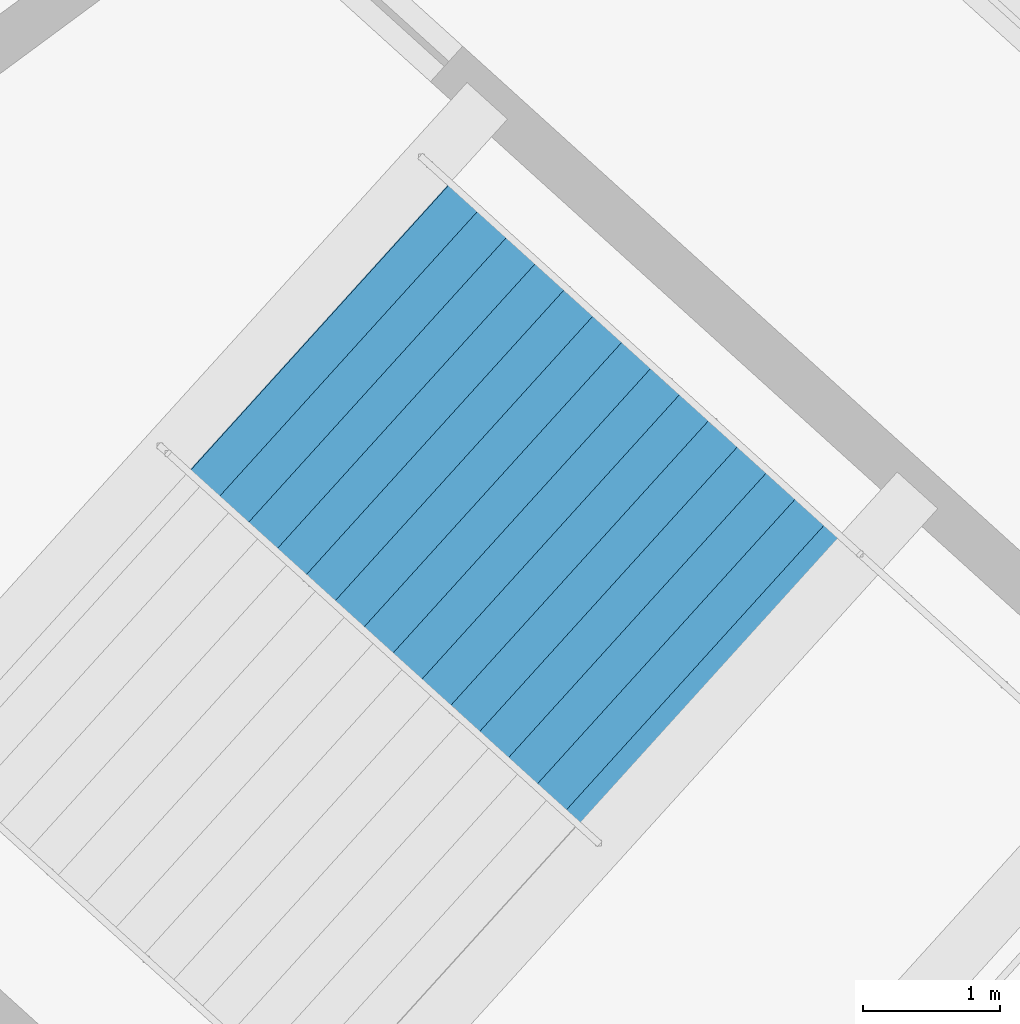
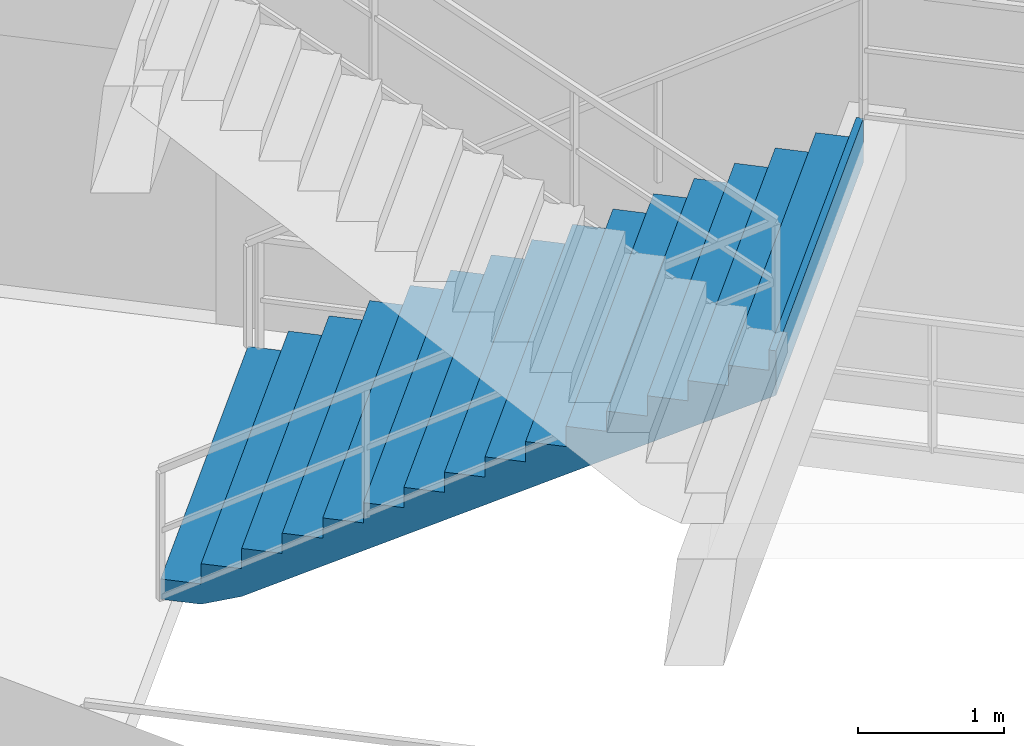
# One storey, part 80 of 103: 1 stair flight, 1 element without a shape of its own.
"""IFC4 building model written with IfcOpenShell, lengths in metres."""

from ifc_helpers import new_model, si_unit, direction, frame, origin, place, context, subcontext, project, spatial, polygons, material, type_object, element, aggregate, save


model = new_model("IFC4")

# Units and contexts
model_context = context("Model", 3, precision=1e-05, world=origin(), true_north=direction((0.0, 1.0)))
body_context = subcontext(model_context, "Body", "Model", "MODEL_VIEW")
ifc_project = project(units=[si_unit("LENGTHUNIT", "METRE"), si_unit("AREAUNIT", "SQUARE_METRE"), si_unit("VOLUMEUNIT", "CUBIC_METRE"), si_unit("PLANEANGLEUNIT", "RADIAN"), si_unit("MASSUNIT", "GRAM", prefix="KILO")], contexts=[model_context])

# Site, building, storey
site_placement = place(None, origin())
site = spatial("IfcSite", under=ifc_project, at=site_placement, CompositionType="ELEMENT")
building_placement = place(site_placement, origin())
building = spatial("IfcBuilding", under=site, at=building_placement, Name="Kazemori Nagisa Stadium", CompositionType="ELEMENT")
storey_placement = place(building_placement, frame((0.0, 0.0, 25.840087890625)))
storey = spatial("IfcBuildingStorey", under=building, at=storey_placement, Name="L05", CompositionType="ELEMENT", Elevation=25.840087890625)

# Stair, stair flight
ifc_material = material(Name="Concrete C36/45 (Fc36)", Category="concrete")
stair_type = type_object("IfcStairType", Name="Stair_CORE_32", PredefinedType="TWO_STRAIGHT_RUN_STAIR", material=ifc_material)
stair_placement = place(storey_placement, origin())
stair = element("IfcStair", 1, at=stair_placement, inside=storey, type_object=stair_type, Name="Exit stair ST03 L05", PredefinedType="TWO_STRAIGHT_RUN_STAIR")
stair_flight_type = type_object("IfcStairFlightType", Name="Flight_CORE_16", PredefinedType="STRAIGHT", material=ifc_material)
stair_flight_placement = place(storey_placement, frame((54.10791015625, 47.6630859375, 0.0), z_axis=(0.0, 0.0, 1.0), x_axis=(0.741354464355, -0.671113670089, 0.0)))
stair_flight = element("IfcStairFlight", 2, at=stair_flight_placement, type_object=stair_flight_type, Name="Exit stair ST03 L05 flight 1", NumberOfRisers=16, NumberOfTreads=15, PredefinedType="STRAIGHT", RiserHeight=0.17, TreadLength=0.285, context=body_context, shape_type="Tessellation", body=[
    polygons([(0.0, -1.425048828125, 0.0), (0.0, -1.425048828125, 0.169921875), (0.284912109375, -1.425048828125, 0.169921875), (0.284912109375, -1.425048828125, 0.340087890625), (0.570068359375, -1.425048828125, 0.340087890625), (0.570068359375, -1.425048828125, 0.510009765625), (0.85498046875, -1.425048828125, 0.510009765625), (0.85498046875, -1.425048828125, 0.679931640625), (1.139892578125, -1.425048828125, 0.679931640625), (1.139892578125, -1.425048828125, 0.85009765625), (1.425048828125, -1.425048828125, 0.85009765625), (1.425048828125, -1.425048828125, 1.02001953125), (1.7099609375, -1.425048828125, 1.02001953125), (1.7099609375, -1.425048828125, 1.18994140625), (1.9951171875, -1.425048828125, 1.18994140625), (1.9951171875, -1.425048828125, 1.360107421875), (2.280029296875, -1.425048828125, 1.360107421875), (2.280029296875, -1.425048828125, 1.530029296875), (2.56494140625, -1.425048828125, 1.530029296875), (2.56494140625, -1.425048828125, 1.699951171875), (2.85009765625, -1.425048828125, 1.699951171875), (2.85009765625, -1.425048828125, 1.8701171875), (3.135009765625, -1.425048828125, 1.8701171875), (3.135009765625, -1.425048828125, 2.0400390625), (3.419921875, -1.425048828125, 2.0400390625), (3.419921875, -1.425048828125, 2.2099609375), (3.705078125, -1.425048828125, 2.2099609375), (3.705078125, -1.425048828125, 2.3798828125), (3.989990234375, -1.425048828125, 2.3798828125), (3.989990234375, -1.425048828125, 2.550048828125), (4.27490234375, -1.425048828125, 2.550048828125), (4.27490234375, -1.425048828125, 2.719970703125), (4.324951171875, -1.425048828125, 2.719970703125), (4.324951171875, -1.425048828125, 2.346923828125), (4.27490234375, -1.425048828125, 2.317138671875), (3.989990234375, -1.425048828125, 2.147216796875), (3.705078125, -1.425048828125, 1.977294921875), (3.419921875, -1.425048828125, 1.80712890625), (3.135009765625, -1.425048828125, 1.63720703125), (2.85009765625, -1.425048828125, 1.46728515625), (2.56494140625, -1.425048828125, 1.297119140625), (2.280029296875, -1.425048828125, 1.127197265625), (1.9951171875, -1.425048828125, 0.957275390625), (1.7099609375, -1.425048828125, 0.787109375), (1.425048828125, -1.425048828125, 0.6171875), (1.139892578125, -1.425048828125, 0.447265625), (0.85498046875, -1.425048828125, 0.277099609375), (0.570068359375, -1.425048828125, 0.107177734375), (0.284912109375, -1.425048828125, 0.0), (0.0, -0.08544921875, 0.0), (0.0, -0.08544921875, 0.169921875), (0.284912109375, -0.08544921875, 0.169921875), (0.284912109375, -0.08544921875, 0.340087890625), (0.570068359375, -0.08544921875, 0.340087890625), (0.570068359375, -0.08544921875, 0.510009765625), (0.85498046875, -0.08544921875, 0.510009765625), (0.85498046875, -0.08544921875, 0.679931640625), (1.139892578125, -0.08544921875, 0.679931640625), (1.139892578125, -0.08544921875, 0.85009765625), (1.425048828125, -0.08544921875, 0.85009765625), (1.425048828125, -0.08544921875, 1.02001953125), (1.7099609375, -0.08544921875, 1.02001953125), (1.7099609375, -0.08544921875, 1.18994140625), (1.9951171875, -0.08544921875, 1.18994140625), (1.9951171875, -0.08544921875, 1.360107421875), (2.280029296875, -0.08544921875, 1.360107421875), (2.280029296875, -0.08544921875, 1.530029296875), (2.56494140625, -0.08544921875, 1.530029296875), (2.56494140625, -0.08544921875, 1.699951171875), (2.85009765625, -0.08544921875, 1.699951171875), (2.85009765625, -0.08544921875, 1.8701171875), (3.135009765625, -0.08544921875, 1.8701171875), (3.135009765625, -0.08544921875, 2.0400390625), (3.419921875, -0.08544921875, 2.0400390625), (3.419921875, -0.08544921875, 2.2099609375), (3.705078125, -0.08544921875, 2.2099609375), (3.705078125, -0.08544921875, 2.3798828125), (3.989990234375, -0.08544921875, 2.3798828125), (3.989990234375, -0.08544921875, 2.550048828125), (4.27490234375, -0.08544921875, 2.550048828125), (4.27490234375, -0.08544921875, 2.719970703125), (4.324951171875, -0.08544921875, 2.719970703125), (4.324951171875, -0.08544921875, 2.346923828125), (4.27490234375, -0.08544921875, 2.317138671875), (3.989990234375, -0.08544921875, 2.147216796875), (3.705078125, -0.08544921875, 1.977294921875), (3.419921875, -0.08544921875, 1.80712890625), (3.135009765625, -0.08544921875, 1.63720703125), (2.85009765625, -0.08544921875, 1.46728515625), (2.56494140625, -0.08544921875, 1.297119140625), (2.280029296875, -0.08544921875, 1.127197265625), (1.9951171875, -0.08544921875, 0.957275390625), (1.7099609375, -0.08544921875, 0.787109375), (1.425048828125, -0.08544921875, 0.6171875), (1.139892578125, -0.08544921875, 0.447265625), (0.85498046875, -0.08544921875, 0.277099609375), (0.570068359375, -0.08544921875, 0.107177734375), (0.284912109375, -0.08544921875, 0.0), (0.0, 0.0, 0.0), (0.0, 0.0, 0.169921875), (0.284912109375, 0.0, 0.169921875), (0.284912109375, 0.0, 0.340087890625), (0.570068359375, 0.0, 0.340087890625), (0.570068359375, 0.0, 0.510009765625), (0.85498046875, 0.0, 0.510009765625), (0.85498046875, 0.0, 0.679931640625), (1.139892578125, 0.0, 0.679931640625), (1.139892578125, 0.0, 0.85009765625), (1.425048828125, 0.0, 0.85009765625), (1.425048828125, 0.0, 1.02001953125), (1.7099609375, 0.0, 1.02001953125), (1.7099609375, 0.0, 1.18994140625), (1.9951171875, 0.0, 1.18994140625), (1.9951171875, 0.0, 1.360107421875), (2.280029296875, 0.0, 1.360107421875), (2.280029296875, 0.0, 1.530029296875), (2.56494140625, 0.0, 1.530029296875), (2.56494140625, 0.0, 1.699951171875), (2.85009765625, 0.0, 1.699951171875), (2.85009765625, 0.0, 1.8701171875), (3.135009765625, 0.0, 1.8701171875), (3.135009765625, 0.0, 2.0400390625), (3.419921875, 0.0, 2.0400390625), (3.419921875, 0.0, 2.2099609375), (3.705078125, 0.0, 2.2099609375), (3.705078125, 0.0, 2.3798828125), (3.989990234375, 0.0, 2.3798828125), (3.989990234375, 0.0, 2.550048828125), (4.27490234375, 0.0, 2.550048828125), (4.27490234375, 0.0, 2.719970703125), (4.324951171875, 0.0, 2.719970703125), (4.324951171875, 0.0, 2.346923828125), (4.27490234375, 0.0, 2.317138671875), (3.989990234375, 0.0, 2.147216796875), (3.705078125, 0.0, 1.977294921875), (3.419921875, 0.0, 1.80712890625), (3.135009765625, 0.0, 1.63720703125), (2.85009765625, 0.0, 1.46728515625), (2.56494140625, 0.0, 1.297119140625), (2.280029296875, 0.0, 1.127197265625), (1.9951171875, 0.0, 0.957275390625), (1.7099609375, 0.0, 0.787109375), (1.425048828125, 0.0, 0.6171875), (1.139892578125, 0.0, 0.447265625), (0.85498046875, 0.0, 0.277099609375), (0.570068359375, 0.0, 0.107177734375), (0.284912109375, 0.0, 0.0), (0.0, 0.08544921875, 0.0), (0.0, 0.08544921875, 0.169921875), (0.284912109375, 0.08544921875, 0.169921875), (0.284912109375, 0.08544921875, 0.340087890625), (0.570068359375, 0.08544921875, 0.340087890625), (0.570068359375, 0.08544921875, 0.510009765625), (0.85498046875, 0.08544921875, 0.510009765625), (0.85498046875, 0.08544921875, 0.679931640625), (1.139892578125, 0.08544921875, 0.679931640625), (1.139892578125, 0.08544921875, 0.85009765625), (1.425048828125, 0.08544921875, 0.85009765625), (1.425048828125, 0.08544921875, 1.02001953125), (1.7099609375, 0.08544921875, 1.02001953125), (1.7099609375, 0.08544921875, 1.18994140625), (1.9951171875, 0.08544921875, 1.18994140625), (1.9951171875, 0.08544921875, 1.360107421875), (2.280029296875, 0.08544921875, 1.360107421875), (2.280029296875, 0.08544921875, 1.530029296875), (2.56494140625, 0.08544921875, 1.530029296875), (2.56494140625, 0.08544921875, 1.699951171875), (2.85009765625, 0.08544921875, 1.699951171875), (2.85009765625, 0.08544921875, 1.8701171875), (3.135009765625, 0.08544921875, 1.8701171875), (3.135009765625, 0.08544921875, 2.0400390625), (3.419921875, 0.08544921875, 2.0400390625), (3.419921875, 0.08544921875, 2.2099609375), (3.705078125, 0.08544921875, 2.2099609375), (3.705078125, 0.08544921875, 2.3798828125), (3.989990234375, 0.08544921875, 2.3798828125), (3.989990234375, 0.08544921875, 2.550048828125), (4.27490234375, 0.08544921875, 2.550048828125), (4.27490234375, 0.08544921875, 2.719970703125), (4.324951171875, 0.08544921875, 2.719970703125), (4.324951171875, 0.08544921875, 2.346923828125), (4.27490234375, 0.08544921875, 2.317138671875), (3.989990234375, 0.08544921875, 2.147216796875), (3.705078125, 0.08544921875, 1.977294921875), (3.419921875, 0.08544921875, 1.80712890625), (3.135009765625, 0.08544921875, 1.63720703125), (2.85009765625, 0.08544921875, 1.46728515625), (2.56494140625, 0.08544921875, 1.297119140625), (2.280029296875, 0.08544921875, 1.127197265625), (1.9951171875, 0.08544921875, 0.957275390625), (1.7099609375, 0.08544921875, 0.787109375), (1.425048828125, 0.08544921875, 0.6171875), (1.139892578125, 0.08544921875, 0.447265625), (0.85498046875, 0.08544921875, 0.277099609375), (0.570068359375, 0.08544921875, 0.107177734375), (0.284912109375, 0.08544921875, 0.0), (0.0, 1.425048828125, 0.0), (0.0, 1.425048828125, 0.169921875), (0.284912109375, 1.425048828125, 0.169921875), (0.284912109375, 1.425048828125, 0.340087890625), (0.570068359375, 1.425048828125, 0.340087890625), (0.570068359375, 1.425048828125, 0.510009765625), (0.85498046875, 1.425048828125, 0.510009765625), (0.85498046875, 1.425048828125, 0.679931640625), (1.139892578125, 1.425048828125, 0.679931640625), (1.139892578125, 1.425048828125, 0.85009765625), (1.425048828125, 1.425048828125, 0.85009765625), (1.425048828125, 1.425048828125, 1.02001953125), (1.7099609375, 1.425048828125, 1.02001953125), (1.7099609375, 1.425048828125, 1.18994140625), (1.9951171875, 1.425048828125, 1.18994140625), (1.9951171875, 1.425048828125, 1.360107421875), (2.280029296875, 1.425048828125, 1.360107421875), (2.280029296875, 1.425048828125, 1.530029296875), (2.56494140625, 1.425048828125, 1.530029296875), (2.56494140625, 1.425048828125, 1.699951171875), (2.85009765625, 1.425048828125, 1.699951171875), (2.85009765625, 1.425048828125, 1.8701171875), (3.135009765625, 1.425048828125, 1.8701171875), (3.135009765625, 1.425048828125, 2.0400390625), (3.419921875, 1.425048828125, 2.0400390625), (3.419921875, 1.425048828125, 2.2099609375), (3.705078125, 1.425048828125, 2.2099609375), (3.705078125, 1.425048828125, 2.3798828125), (3.989990234375, 1.425048828125, 2.3798828125), (3.989990234375, 1.425048828125, 2.550048828125), (4.27490234375, 1.425048828125, 2.550048828125), (4.27490234375, 1.425048828125, 2.719970703125), (4.324951171875, 1.425048828125, 2.719970703125), (4.324951171875, 1.425048828125, 2.346923828125), (4.27490234375, 1.425048828125, 2.317138671875), (3.989990234375, 1.425048828125, 2.147216796875), (3.705078125, 1.425048828125, 1.977294921875), (3.419921875, 1.425048828125, 1.80712890625), (3.135009765625, 1.425048828125, 1.63720703125), (2.85009765625, 1.425048828125, 1.46728515625), (2.56494140625, 1.425048828125, 1.297119140625), (2.280029296875, 1.425048828125, 1.127197265625), (1.9951171875, 1.425048828125, 0.957275390625), (1.7099609375, 1.425048828125, 0.787109375), (1.425048828125, 1.425048828125, 0.6171875), (1.139892578125, 1.425048828125, 0.447265625), (0.85498046875, 1.425048828125, 0.277099609375), (0.570068359375, 1.425048828125, 0.107177734375), (0.284912109375, 1.425048828125, 0.0)], [[[1, 2, 51]], [[1, 51, 50]], [[2, 3, 52]], [[2, 52, 51]], [[3, 4, 53]], [[3, 53, 52]], [[4, 5, 54]], [[4, 54, 53]], [[5, 6, 55]], [[5, 55, 54]], [[6, 7, 56]], [[6, 56, 55]], [[7, 8, 57]], [[7, 57, 56]], [[8, 9, 58]], [[8, 58, 57]], [[9, 10, 59]], [[9, 59, 58]], [[10, 11, 60]], [[10, 60, 59]], [[11, 12, 61]], [[11, 61, 60]], [[12, 13, 62]], [[12, 62, 61]], [[13, 14, 63]], [[13, 63, 62]], [[14, 15, 64]], [[14, 64, 63]], [[15, 16, 65]], [[15, 65, 64]], [[16, 17, 66]], [[16, 66, 65]], [[17, 18, 67]], [[17, 67, 66]], [[18, 19, 68]], [[18, 68, 67]], [[19, 20, 69]], [[19, 69, 68]], [[20, 21, 70]], [[20, 70, 69]], [[21, 22, 71]], [[21, 71, 70]], [[22, 23, 72]], [[22, 72, 71]], [[23, 24, 73]], [[23, 73, 72]], [[24, 25, 74]], [[24, 74, 73]], [[25, 26, 75]], [[25, 75, 74]], [[26, 27, 76]], [[26, 76, 75]], [[27, 28, 77]], [[27, 77, 76]], [[28, 29, 78]], [[28, 78, 77]], [[29, 30, 79]], [[29, 79, 78]], [[30, 31, 80]], [[30, 80, 79]], [[31, 32, 81]], [[31, 81, 80]], [[32, 33, 82]], [[32, 82, 81]], [[33, 34, 83]], [[33, 83, 82]], [[34, 35, 84]], [[34, 84, 83]], [[35, 36, 85]], [[35, 85, 84]], [[36, 37, 86]], [[36, 86, 85]], [[37, 38, 87]], [[37, 87, 86]], [[38, 39, 88]], [[38, 88, 87]], [[39, 40, 89]], [[39, 89, 88]], [[40, 41, 90]], [[40, 90, 89]], [[41, 42, 91]], [[41, 91, 90]], [[42, 43, 92]], [[42, 92, 91]], [[43, 44, 93]], [[43, 93, 92]], [[44, 45, 94]], [[44, 94, 93]], [[45, 46, 95]], [[45, 95, 94]], [[46, 47, 96]], [[46, 96, 95]], [[47, 48, 97]], [[47, 97, 96]], [[48, 49, 98]], [[48, 98, 97]], [[49, 1, 50]], [[49, 50, 98]], [[50, 51, 100]], [[50, 100, 99]], [[51, 52, 101]], [[51, 101, 100]], [[52, 53, 102]], [[52, 102, 101]], [[53, 54, 103]], [[53, 103, 102]], [[54, 55, 104]], [[54, 104, 103]], [[55, 56, 105]], [[55, 105, 104]], [[56, 57, 106]], [[56, 106, 105]], [[57, 58, 107]], [[57, 107, 106]], [[58, 59, 108]], [[58, 108, 107]], [[59, 60, 109]], [[59, 109, 108]], [[60, 61, 110]], [[60, 110, 109]], [[61, 62, 111]], [[61, 111, 110]], [[62, 63, 112]], [[62, 112, 111]], [[63, 64, 113]], [[63, 113, 112]], [[64, 65, 114]], [[64, 114, 113]], [[65, 66, 115]], [[65, 115, 114]], [[66, 67, 116]], [[66, 116, 115]], [[67, 68, 117]], [[67, 117, 116]], [[68, 69, 118]], [[68, 118, 117]], [[69, 70, 119]], [[69, 119, 118]], [[70, 71, 120]], [[70, 120, 119]], [[71, 72, 121]], [[71, 121, 120]], [[72, 73, 122]], [[72, 122, 121]], [[73, 74, 123]], [[73, 123, 122]], [[74, 75, 124]], [[74, 124, 123]], [[75, 76, 125]], [[75, 125, 124]], [[76, 77, 126]], [[76, 126, 125]], [[77, 78, 127]], [[77, 127, 126]], [[78, 79, 128]], [[78, 128, 127]], [[79, 80, 129]], [[79, 129, 128]], [[80, 81, 130]], [[80, 130, 129]], [[81, 82, 131]], [[81, 131, 130]], [[82, 83, 132]], [[82, 132, 131]], [[83, 84, 133]], [[83, 133, 132]], [[84, 85, 134]], [[84, 134, 133]], [[85, 86, 135]], [[85, 135, 134]], [[86, 87, 136]], [[86, 136, 135]], [[87, 88, 137]], [[87, 137, 136]], [[88, 89, 138]], [[88, 138, 137]], [[89, 90, 139]], [[89, 139, 138]], [[90, 91, 140]], [[90, 140, 139]], [[91, 92, 141]], [[91, 141, 140]], [[92, 93, 142]], [[92, 142, 141]], [[93, 94, 143]], [[93, 143, 142]], [[94, 95, 144]], [[94, 144, 143]], [[95, 96, 145]], [[95, 145, 144]], [[96, 97, 146]], [[96, 146, 145]], [[97, 98, 147]], [[97, 147, 146]], [[98, 50, 99]], [[98, 99, 147]], [[99, 100, 149]], [[99, 149, 148]], [[100, 101, 150]], [[100, 150, 149]], [[101, 102, 151]], [[101, 151, 150]], [[102, 103, 152]], [[102, 152, 151]], [[103, 104, 153]], [[103, 153, 152]], [[104, 105, 154]], [[104, 154, 153]], [[105, 106, 155]], [[105, 155, 154]], [[106, 107, 156]], [[106, 156, 155]], [[107, 108, 157]], [[107, 157, 156]], [[108, 109, 158]], [[108, 158, 157]], [[109, 110, 159]], [[109, 159, 158]], [[110, 111, 160]], [[110, 160, 159]], [[111, 112, 161]], [[111, 161, 160]], [[112, 113, 162]], [[112, 162, 161]], [[113, 114, 163]], [[113, 163, 162]], [[114, 115, 164]], [[114, 164, 163]], [[115, 116, 165]], [[115, 165, 164]], [[116, 117, 166]], [[116, 166, 165]], [[117, 118, 167]], [[117, 167, 166]], [[118, 119, 168]], [[118, 168, 167]], [[119, 120, 169]], [[119, 169, 168]], [[120, 121, 170]], [[120, 170, 169]], [[121, 122, 171]], [[121, 171, 170]], [[122, 123, 172]], [[122, 172, 171]], [[123, 124, 173]], [[123, 173, 172]], [[124, 125, 174]], [[124, 174, 173]], [[125, 126, 175]], [[125, 175, 174]], [[126, 127, 176]], [[126, 176, 175]], [[127, 128, 177]], [[127, 177, 176]], [[128, 129, 178]], [[128, 178, 177]], [[129, 130, 179]], [[129, 179, 178]], [[130, 131, 180]], [[130, 180, 179]], [[131, 132, 181]], [[131, 181, 180]], [[132, 133, 182]], [[132, 182, 181]], [[133, 134, 183]], [[133, 183, 182]], [[134, 135, 184]], [[134, 184, 183]], [[135, 136, 185]], [[135, 185, 184]], [[136, 137, 186]], [[136, 186, 185]], [[137, 138, 187]], [[137, 187, 186]], [[138, 139, 188]], [[138, 188, 187]], [[139, 140, 189]], [[139, 189, 188]], [[140, 141, 190]], [[140, 190, 189]], [[141, 142, 191]], [[141, 191, 190]], [[142, 143, 192]], [[142, 192, 191]], [[143, 144, 193]], [[143, 193, 192]], [[144, 145, 194]], [[144, 194, 193]], [[145, 146, 195]], [[145, 195, 194]], [[146, 147, 196]], [[146, 196, 195]], [[147, 99, 148]], [[147, 148, 196]], [[148, 149, 198]], [[148, 198, 197]], [[149, 150, 199]], [[149, 199, 198]], [[150, 151, 200]], [[150, 200, 199]], [[151, 152, 201]], [[151, 201, 200]], [[152, 153, 202]], [[152, 202, 201]], [[153, 154, 203]], [[153, 203, 202]], [[154, 155, 204]], [[154, 204, 203]], [[155, 156, 205]], [[155, 205, 204]], [[156, 157, 206]], [[156, 206, 205]], [[157, 158, 207]], [[157, 207, 206]], [[158, 159, 208]], [[158, 208, 207]], [[159, 160, 209]], [[159, 209, 208]], [[160, 161, 210]], [[160, 210, 209]], [[161, 162, 211]], [[161, 211, 210]], [[162, 163, 212]], [[162, 212, 211]], [[163, 164, 213]], [[163, 213, 212]], [[164, 165, 214]], [[164, 214, 213]], [[165, 166, 215]], [[165, 215, 214]], [[166, 167, 216]], [[166, 216, 215]], [[167, 168, 217]], [[167, 217, 216]], [[168, 169, 218]], [[168, 218, 217]], [[169, 170, 219]], [[169, 219, 218]], [[170, 171, 220]], [[170, 220, 219]], [[171, 172, 221]], [[171, 221, 220]], [[172, 173, 222]], [[172, 222, 221]], [[173, 174, 223]], [[173, 223, 222]], [[174, 175, 224]], [[174, 224, 223]], [[175, 176, 225]], [[175, 225, 224]], [[176, 177, 226]], [[176, 226, 225]], [[177, 178, 227]], [[177, 227, 226]], [[178, 179, 228]], [[178, 228, 227]], [[179, 180, 229]], [[179, 229, 228]], [[180, 181, 230]], [[180, 230, 229]], [[181, 182, 231]], [[181, 231, 230]], [[182, 183, 232]], [[182, 232, 231]], [[183, 184, 233]], [[183, 233, 232]], [[184, 185, 234]], [[184, 234, 233]], [[185, 186, 235]], [[185, 235, 234]], [[186, 187, 236]], [[186, 236, 235]], [[187, 188, 237]], [[187, 237, 236]], [[188, 189, 238]], [[188, 238, 237]], [[189, 190, 239]], [[189, 239, 238]], [[190, 191, 240]], [[190, 240, 239]], [[191, 192, 241]], [[191, 241, 240]], [[192, 193, 242]], [[192, 242, 241]], [[193, 194, 243]], [[193, 243, 242]], [[194, 195, 244]], [[194, 244, 243]], [[195, 196, 245]], [[195, 245, 244]], [[196, 148, 197]], [[196, 197, 245]], [[3, 2, 1]], [[197, 198, 199]], [[49, 3, 1]], [[197, 199, 245]], [[48, 3, 49]], [[245, 199, 244]], [[5, 3, 48]], [[244, 199, 201]], [[5, 4, 3]], [[199, 200, 201]], [[47, 5, 48]], [[244, 201, 243]], [[7, 5, 47]], [[243, 201, 203]], [[7, 6, 5]], [[201, 202, 203]], [[46, 7, 47]], [[243, 203, 242]], [[9, 7, 46]], [[242, 203, 205]], [[9, 8, 7]], [[203, 204, 205]], [[45, 9, 46]], [[242, 205, 241]], [[11, 9, 45]], [[241, 205, 207]], [[11, 10, 9]], [[205, 206, 207]], [[44, 11, 45]], [[241, 207, 240]], [[13, 11, 44]], [[240, 207, 209]], [[13, 12, 11]], [[207, 208, 209]], [[43, 13, 44]], [[240, 209, 239]], [[15, 13, 43]], [[239, 209, 211]], [[15, 14, 13]], [[209, 210, 211]], [[42, 15, 43]], [[239, 211, 238]], [[17, 15, 42]], [[238, 211, 213]], [[17, 16, 15]], [[211, 212, 213]], [[41, 17, 42]], [[238, 213, 237]], [[19, 17, 41]], [[237, 213, 215]], [[19, 18, 17]], [[213, 214, 215]], [[40, 19, 41]], [[237, 215, 236]], [[21, 19, 40]], [[236, 215, 217]], [[21, 20, 19]], [[215, 216, 217]], [[39, 21, 40]], [[236, 217, 235]], [[23, 21, 39]], [[235, 217, 219]], [[23, 22, 21]], [[217, 218, 219]], [[38, 23, 39]], [[235, 219, 234]], [[25, 23, 38]], [[234, 219, 221]], [[25, 24, 23]], [[219, 220, 221]], [[37, 25, 38]], [[234, 221, 233]], [[27, 25, 37]], [[233, 221, 223]], [[27, 26, 25]], [[221, 222, 223]], [[36, 27, 37]], [[233, 223, 232]], [[29, 27, 36]], [[232, 223, 225]], [[29, 28, 27]], [[223, 224, 225]], [[35, 29, 36]], [[232, 225, 231]], [[31, 29, 35]], [[231, 225, 227]], [[31, 30, 29]], [[225, 226, 227]], [[34, 31, 35]], [[231, 227, 230]], [[33, 31, 34]], [[230, 227, 229]], [[33, 32, 31]], [[227, 228, 229]]], closed=True),
])
aggregate(stair, [stair_flight])

save(model, "model.ifc")
